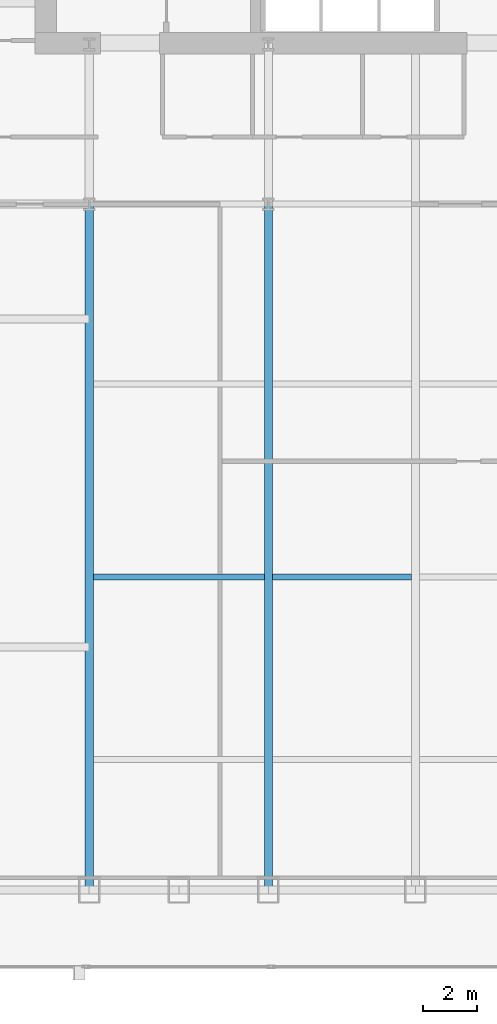
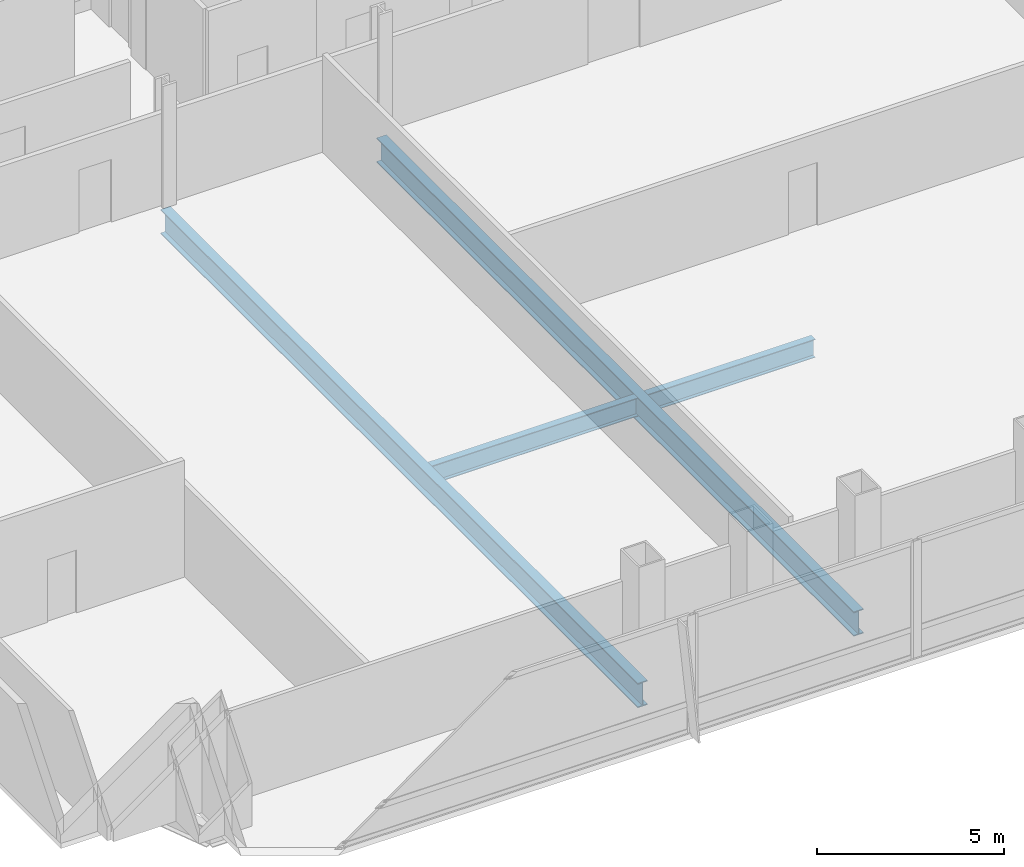
# One storey, part 9 of 32: 4 beams.
"""IFC4 building model written with IfcOpenShell, lengths in metres."""

from ifc_helpers import new_model, si_unit, direction, frame, origin, origin_2d, place, context, subcontext, project, spatial, i_section, extrude, material, material_profile, profile_set, type_object, element, save


model = new_model("IFC4")

# Units and contexts
model_context = context("Model", 3, precision=1e-05, world=origin(), true_north=direction((0.0, 1.0)))
body_context = subcontext(model_context, "Body", "Model", "MODEL_VIEW")
ifc_project = project(units=[si_unit("LENGTHUNIT", "METRE"), si_unit("AREAUNIT", "SQUARE_METRE"), si_unit("VOLUMEUNIT", "CUBIC_METRE"), si_unit("PLANEANGLEUNIT", "RADIAN"), si_unit("MASSUNIT", "GRAM", prefix="KILO")], contexts=[model_context])

# Site, building, storey
site_placement = place(None, origin())
site = spatial("IfcSite", under=ifc_project, at=site_placement, CompositionType="ELEMENT")
building_placement = place(site_placement, origin())
building = spatial("IfcBuilding", under=site, at=building_placement, Name="Khoronbel Lancet Exchange", CompositionType="ELEMENT")
storey_placement = place(building_placement, frame((0.0, 0.0, 29.800048828125)))
storey = spatial("IfcBuildingStorey", under=building, at=storey_placement, Name="L06", CompositionType="ELEMENT", Elevation=29.800048828125)

# Beams
ifc_material = material(Name="Steel S355", Category="steel")
ifc_material_profile_1 = material_profile(ifc_material, i_section(OverallWidth=0.300048828125, OverallDepth=0.800048828125, WebThickness=0.017578125, FlangeThickness=0.032958984375, at=origin_2d()), Name="HEB 800")
ifc_profile_set_1 = profile_set([ifc_material_profile_1], Name="Steel S355")
beam_type_1 = type_object("IfcBeamType", Name="BM-BG2", PredefinedType="BEAM", material=ifc_profile_set_1)
for number, where, z_axis, x_axis, name in (
    (1, (18.22509765625, 10.14990234375, -0.580078125), (0.0, 1.0, 0.0), (-1.0, 0.0, 0.0), "Level L06 south primary girder GS1"),
    (2, (24.89990234375, 10.14990234375, -0.580078125), (0.0, 1.0, 0.0), (-1.0, 0.0, 0.0), "Level L06 south primary girder GS2"),
):
    element("IfcBeam", number, at=place(storey_placement, frame(where, z_axis=z_axis, x_axis=x_axis)), inside=storey, type_object=beam_type_1, Name=name, PredefinedType="BEAM", context=body_context, shape_type="SweptSolid", body=[
        extrude(i_section(OverallWidth=0.300048828125, OverallDepth=0.800048828125, WebThickness=0.017578125, FlangeThickness=0.032958984375, at=origin_2d()), origin(), (0.0, 0.0, 1.0), 25.550048828125),
    ])
ifc_material_profile_2 = material_profile(ifc_material, i_section(OverallWidth=0.219970703125, OverallDepth=0.60009765625, WebThickness=0.011962890625, FlangeThickness=0.01904296875, at=origin_2d()), Name="IPE 600")
ifc_profile_set_2 = profile_set([ifc_material_profile_2], Name="Steel S355")
beam_type_2 = type_object("IfcBeamType", Name="BM-BJ1", PredefinedType="JOIST", material=ifc_profile_set_2)
beam_1_placement = place(storey_placement, frame((18.375, 21.800048828125, -0.47998046875), z_axis=(1.0, 0.0, 0.0), x_axis=(0.0, 1.0, 0.0)))
element("IfcBeam", 3, at=beam_1_placement, inside=storey, type_object=beam_type_2, Name="Level L06 secondary composite joist J06", PredefinedType="JOIST", context=body_context, shape_type="SweptSolid", body=[
    extrude(i_section(OverallWidth=0.219970703125, OverallDepth=0.60009765625, WebThickness=0.011962890625, FlangeThickness=0.01904296875, at=origin_2d()), origin(), (0.0, 0.0, 1.0), 6.375),
])
beam_2_placement = place(storey_placement, frame((25.050048828125, 21.800048828125, -0.47998046875), z_axis=(1.0, 0.0, 0.0), x_axis=(0.0, 1.0, 0.0)))
element("IfcBeam", 4, at=beam_2_placement, inside=storey, type_object=beam_type_2, Name="Level L06 secondary composite joist J07", PredefinedType="JOIST", context=body_context, shape_type="SweptSolid", body=[
    extrude(i_section(OverallWidth=0.219970703125, OverallDepth=0.60009765625, WebThickness=0.011962890625, FlangeThickness=0.01904296875, at=origin_2d()), origin(), (0.0, 0.0, 1.0), 5.175048828125),
])

save(model, "model.ifc")
